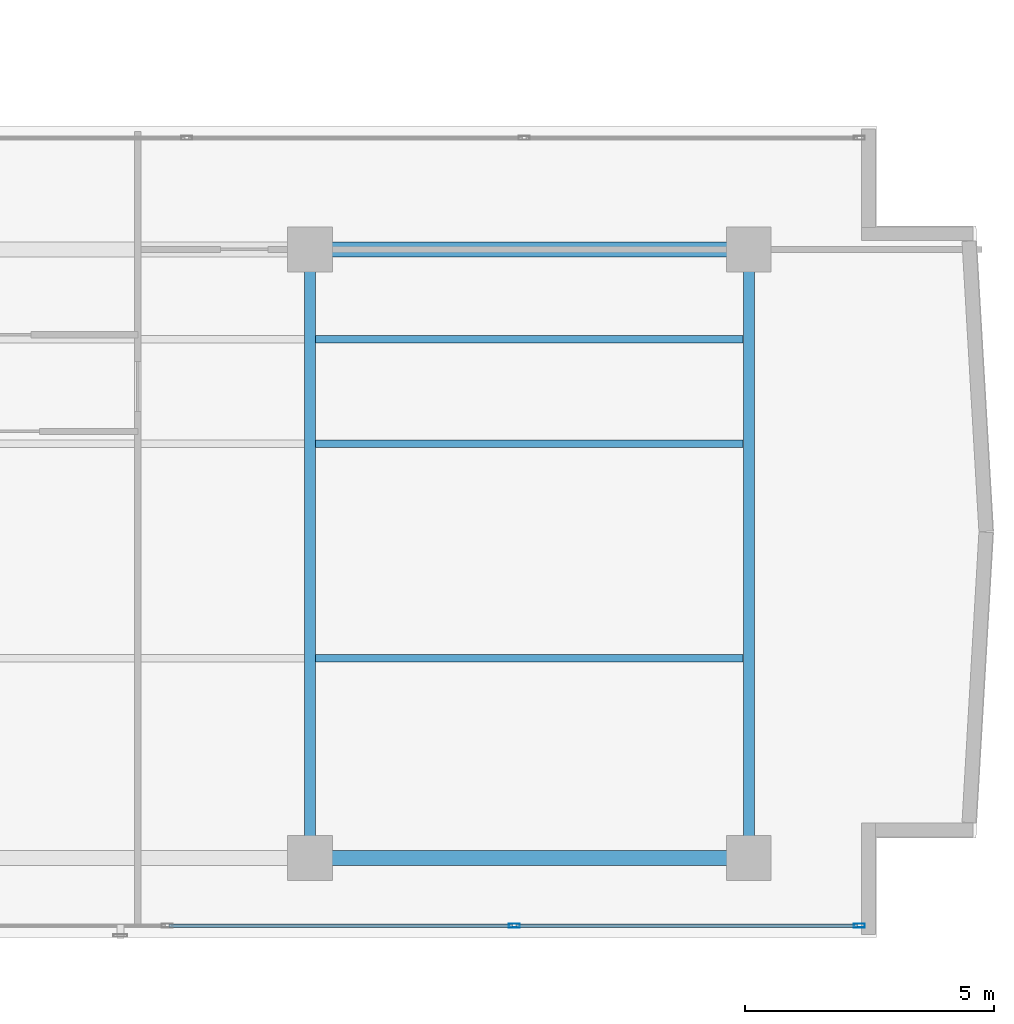
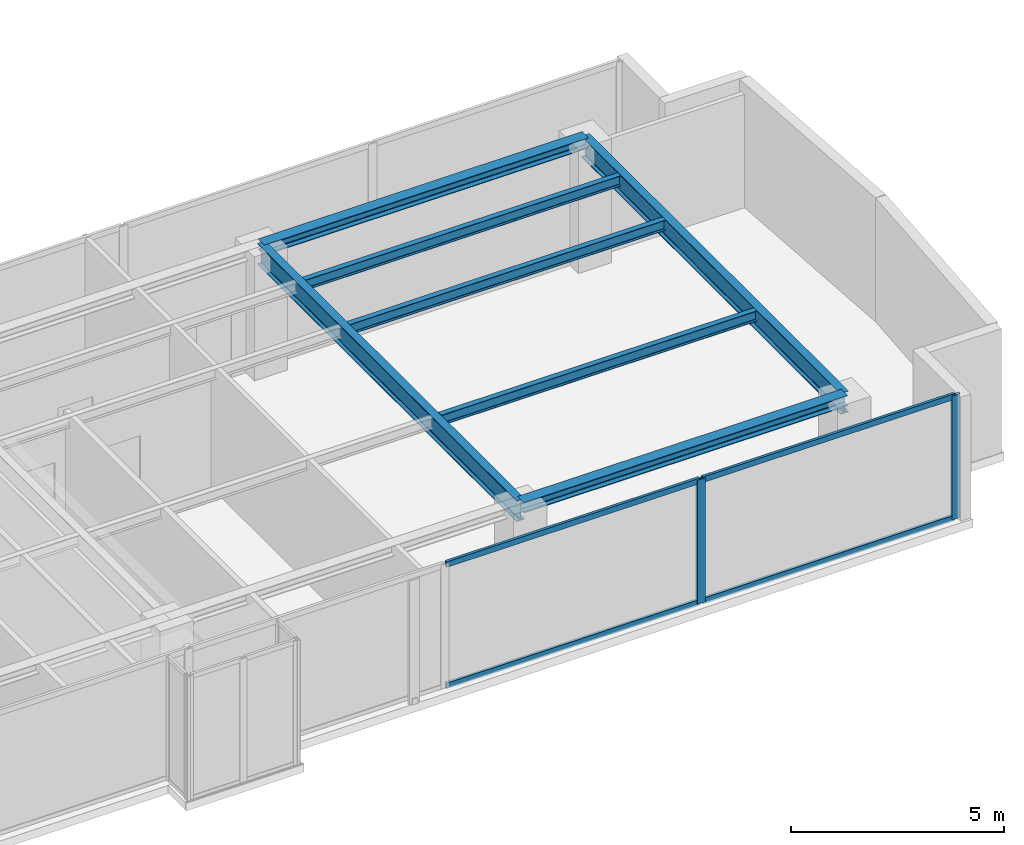
# One storey, part 11 of 22: 7 beams, 6 members, 1 element without a shape of its own.
"""IFC4 building model written with IfcOpenShell, lengths in metres."""

from ifc_helpers import new_model, si_unit, direction, frame, origin, origin_with_axes, origin_2d, place, context, subcontext, project, spatial, hollow_rectangle, i_section, extrude, source, transform, mapped, material, layer, layer_set, material_profile, profile_set, type_object, element, aggregate, save


model = new_model("IFC4")

# Units and contexts
model_context = context("Model", 3, precision=1e-05, world=origin(), true_north=direction((0.0, 1.0)))
body_context = subcontext(model_context, "Body", "Model", "MODEL_VIEW")
ifc_project = project(units=[si_unit("LENGTHUNIT", "METRE"), si_unit("AREAUNIT", "SQUARE_METRE"), si_unit("VOLUMEUNIT", "CUBIC_METRE"), si_unit("PLANEANGLEUNIT", "RADIAN"), si_unit("MASSUNIT", "GRAM", prefix="KILO")], contexts=[model_context])

# Site, building, storey
site_placement = place(None, origin())
site = spatial("IfcSite", under=ifc_project, at=site_placement, CompositionType="ELEMENT")
building_placement = place(site_placement, origin())
building = spatial("IfcBuilding", under=site, at=building_placement, Name="Kolvaren Waterfront Exchange", CompositionType="ELEMENT")
storey_placement = place(building_placement, frame((0.0, 0.0, 308.39990234375)))
storey = spatial("IfcBuildingStorey", under=building, at=storey_placement, Name="L79", CompositionType="ELEMENT", Elevation=308.39990234375)

# Beams
ifc_material_1 = material(Name="Steel S355", Category="steel")
ifc_material_profile_1 = material_profile(ifc_material_1, i_section(OverallWidth=0.300048828125, OverallDepth=0.300048828125, WebThickness=0.010986328125, FlangeThickness=0.01904296875, FilletRadius=0.027099609375, at=origin_2d()), Name="HEB300")
ifc_profile_set_1 = profile_set([ifc_material_profile_1], Name="Steel S355")
beam_type_1 = type_object("IfcBeamType", Name="STR-BM-HEB300", PredefinedType="SPANDREL", material=ifc_profile_set_1)
for number, where, z_axis, x_axis, name in (
    (1, (36.800048828125, 5.199951171875, 3.41015625), (1.0, 0.0, 0.0), (0.0, 1.0, 0.0), "L79 east-arm spandrel S3"),
    (2, (36.800048828125, 17.39990234375, 3.41015625), (1.0, 0.0, 0.0), (0.0, 1.0, 0.0), "L79 east-arm spandrel N3"),
):
    element("IfcBeam", number, at=place(storey_placement, frame(where, z_axis=z_axis, x_axis=x_axis)), inside=storey, type_object=beam_type_1, Name=name, PredefinedType="SPANDREL", context=body_context, shape_type="SweptSolid", body=[
        extrude(i_section(OverallWidth=0.300048828125, OverallDepth=0.300048828125, WebThickness=0.010986328125, FlangeThickness=0.01904296875, FilletRadius=0.027099609375, at=origin_2d()), origin(), (0.0, 0.0, 1.0), 8.800048828125),
    ])
ifc_material_profile_2 = material_profile(ifc_material_1, i_section(OverallWidth=0.14990234375, OverallDepth=0.300048828125, WebThickness=0.007080078125, FlangeThickness=0.0107421875, FilletRadius=0.014892578125, at=origin_2d()), Name="IPE300")
ifc_profile_set_2 = profile_set([ifc_material_profile_2], Name="Steel S355")
beam_type_2 = type_object("IfcBeamType", Name="STR-BM-IPE300", PredefinedType="JOIST", material=ifc_profile_set_2)
for number, where, z_axis, x_axis, name in (
    (3, (36.912109375, 13.5, 3.41015625), (1.0, 0.0, 0.0), (0.0, 1.0, 0.0), "L79 east-arm composite joist 3A"),
    (4, (36.912109375, 15.60009765625, 3.41015625), (1.0, 0.0, 0.0), (0.0, 1.0, 0.0), "L79 east-arm composite joist 3C"),
    (5, (36.912109375, 9.199951171875, 3.41015625), (1.0, 0.0, 0.0), (0.0, 1.0, 0.0), "L79 east-arm composite joist 3B"),
):
    element("IfcBeam", number, at=place(storey_placement, frame(where, z_axis=z_axis, x_axis=x_axis)), inside=storey, type_object=beam_type_2, Name=name, PredefinedType="JOIST", context=body_context, shape_type="SweptSolid", body=[
        extrude(i_section(OverallWidth=0.14990234375, OverallDepth=0.300048828125, WebThickness=0.007080078125, FlangeThickness=0.0107421875, FilletRadius=0.014892578125, at=origin_2d()), origin(), (0.0, 0.0, 1.0), 8.575927734375),
    ])
ifc_material_profile_3 = material_profile(ifc_material_1, i_section(OverallWidth=0.219970703125, OverallDepth=0.60009765625, WebThickness=0.011962890625, FlangeThickness=0.01904296875, FilletRadius=0.02392578125, at=origin_2d()), Name="IPE600")
ifc_profile_set_3 = profile_set([ifc_material_profile_3], Name="Steel S355")
beam_type_3 = type_object("IfcBeamType", Name="STR-BM-IPE600", PredefinedType="BEAM", material=ifc_profile_set_3)
for number, where, z_axis, x_axis, name in (
    (6, (36.800048828125, 5.199951171875, 3.260009765625), (0.0, 1.0, 0.0), (-1.0, 0.0, 0.0), "L79 east-arm transverse girder X36"),
    (7, (45.60009765625, 5.199951171875, 3.260009765625), (0.0, 1.0, 0.0), (-1.0, 0.0, 0.0), "L79 east-arm transverse girder X45"),
):
    element("IfcBeam", number, at=place(storey_placement, frame(where, z_axis=z_axis, x_axis=x_axis)), inside=storey, type_object=beam_type_3, Name=name, PredefinedType="BEAM", context=body_context, shape_type="SweptSolid", body=[
        extrude(i_section(OverallWidth=0.219970703125, OverallDepth=0.60009765625, WebThickness=0.011962890625, FlangeThickness=0.01904296875, FilletRadius=0.02392578125, at=origin_2d()), origin(), (0.0, 0.0, 1.0), 12.199951171875),
    ])

# Curtain wall, members
ifc_material_2 = material(Name="Anodised bronze aluminium 6063-T6", Category="aluminium")
ifc_layer = layer(ifc_material_2, 0.219970703125, Name="Anodised bronze aluminium 6063-T6")
ifc_layer_set = layer_set([ifc_layer], Name="Anodised bronze aluminium 6063-T6")
curtain_wall_type = type_object("IfcCurtainWallType", Name="ARC-CW-SYS1", PredefinedType="USERDEFINED", material=ifc_layer_set)
curtain_wall_placement = place(storey_placement, origin())
curtain_wall = element("IfcCurtainWall", 8, at=curtain_wall_placement, inside=storey, type_object=curtain_wall_type, Name="L79 stick curtain wall CW1 (CW-L79-S)", ObjectType="STICK CURTAIN WALL", PredefinedType="USERDEFINED")
ifc_material_3 = material(Name="Anodised aluminium 6063-T6", Category="aluminium")
ifc_material_profile_4 = material_profile(ifc_material_3, hollow_rectangle(XDim=0.080078125, YDim=0.219970703125, WallThickness=0.0048828125, at=origin_2d()), Name="ALU-MUL-220x80x5")
ifc_profile_set_4 = profile_set([ifc_material_profile_4], Name="Anodised aluminium 6063-T6")
member_type_1 = type_object("IfcMemberType", Name="ARC-CWM-220", PredefinedType="MULLION", material=ifc_profile_set_4)
shared_shape_1 = source(origin_with_axes(), body_context, "Body", "SweptSolid", [
    extrude(hollow_rectangle(XDim=0.080078125, YDim=0.219970703125, WallThickness=0.0048828125, at=origin_2d()), origin(), (0.0, 0.0, 1.0), 3.56005859375),
])
member_1_placement = place(storey_placement, frame((40.898193359375, 3.840087890625, 0.0), z_axis=(0.0, 0.0, 1.0), x_axis=(0.0, 1.0, 0.0)))
member_1 = element("IfcMember", 9, at=member_1_placement, type_object=member_type_1, Name="CW1 mullion 6", PredefinedType="MULLION", context=body_context, shape_type="MappedRepresentation", body=[
    mapped(shared_shape_1, transform((0.0, 0.0, 0.0), x_axis=(1.0, 0.0, 0.0), y_axis=(0.0, 1.0, 0.0), z_axis=(0.0, 0.0, 1.0), scale=1.0)),
])
member_2_placement = place(storey_placement, frame((47.81787109375, 3.840087890625, 0.0), z_axis=(0.0, 0.0, 1.0), x_axis=(0.0, 1.0, 0.0)))
member_2 = element("IfcMember", 10, at=member_2_placement, type_object=member_type_1, Name="CW1 mullion 7", PredefinedType="MULLION", context=body_context, shape_type="MappedRepresentation", body=[
    mapped(shared_shape_1, transform((0.0, 0.0, 0.0), x_axis=(1.0, 0.0, 0.0), y_axis=(0.0, 1.0, 0.0), z_axis=(0.0, 0.0, 1.0), scale=1.0)),
])
ifc_material_profile_5 = material_profile(ifc_material_3, hollow_rectangle(XDim=0.074951171875, YDim=0.159912109375, WallThickness=0.00439453125, at=origin_2d()), Name="ALU-TRN-160x75x4.5")
ifc_profile_set_5 = profile_set([ifc_material_profile_5], Name="Anodised aluminium 6063-T6")
member_type_2 = type_object("IfcMemberType", Name="ARC-CWT-160", PredefinedType="USERDEFINED", material=ifc_profile_set_5)
shared_shape_2 = source(origin_with_axes(), body_context, "Body", "SweptSolid", [
    extrude(hollow_rectangle(XDim=0.074951171875, YDim=0.159912109375, WallThickness=0.00439453125, at=origin_2d()), origin(), (0.0, 0.0, 1.0), 6.839599609375),
])
member_3_placement = place(storey_placement, frame((40.938232421875, 3.840087890625, 0.03759765625), z_axis=(1.0, 0.0, 0.0), x_axis=(0.0, 1.0, 0.0)))
member_3 = element("IfcMember", 11, at=member_3_placement, type_object=member_type_2, Name="CW1 transom 6.1", ObjectType="TRANSOM", PredefinedType="USERDEFINED", context=body_context, shape_type="MappedRepresentation", body=[
    mapped(shared_shape_2, transform((0.0, 0.0, 0.0), x_axis=(1.0, 0.0, 0.0), y_axis=(0.0, 1.0, 0.0), z_axis=(0.0, 0.0, 1.0), scale=1.0)),
])
member_4_placement = place(storey_placement, frame((40.938232421875, 3.840087890625, 3.522705078125), z_axis=(1.0, 0.0, 0.0), x_axis=(0.0, 1.0, 0.0)))
member_4 = element("IfcMember", 12, at=member_4_placement, type_object=member_type_2, Name="CW1 transom 6.2", ObjectType="TRANSOM", PredefinedType="USERDEFINED", context=body_context, shape_type="MappedRepresentation", body=[
    mapped(shared_shape_2, transform((0.0, 0.0, 0.0), x_axis=(1.0, 0.0, 0.0), y_axis=(0.0, 1.0, 0.0), z_axis=(0.0, 0.0, 1.0), scale=1.0)),
])
shared_shape_3 = source(origin_with_axes(), body_context, "Body", "SweptSolid", [
    extrude(hollow_rectangle(XDim=0.074951171875, YDim=0.159912109375, WallThickness=0.00439453125, at=origin_2d()), origin(), (0.0, 0.0, 1.0), 6.879638671875),
])
member_5_placement = place(storey_placement, frame((33.978515625, 3.840087890625, 0.03759765625), z_axis=(1.0, 0.0, 0.0), x_axis=(0.0, 1.0, 0.0)))
member_5 = element("IfcMember", 13, at=member_5_placement, type_object=member_type_2, Name="CW1 transom 5.1", ObjectType="TRANSOM", PredefinedType="USERDEFINED", context=body_context, shape_type="MappedRepresentation", body=[
    mapped(shared_shape_3, transform((0.0, 0.0, 0.0), x_axis=(1.0, 0.0, 0.0), y_axis=(0.0, 1.0, 0.0), z_axis=(0.0, 0.0, 1.0), scale=1.0)),
])
member_6_placement = place(storey_placement, frame((33.978515625, 3.840087890625, 3.522705078125), z_axis=(1.0, 0.0, 0.0), x_axis=(0.0, 1.0, 0.0)))
member_6 = element("IfcMember", 14, at=member_6_placement, type_object=member_type_2, Name="CW1 transom 5.2", ObjectType="TRANSOM", PredefinedType="USERDEFINED", context=body_context, shape_type="MappedRepresentation", body=[
    mapped(shared_shape_3, transform((0.0, 0.0, 0.0), x_axis=(1.0, 0.0, 0.0), y_axis=(0.0, 1.0, 0.0), z_axis=(0.0, 0.0, 1.0), scale=1.0)),
])
aggregate(curtain_wall, [member_1, member_2, member_5, member_6, member_3, member_4])

save(model, "model.ifc")
